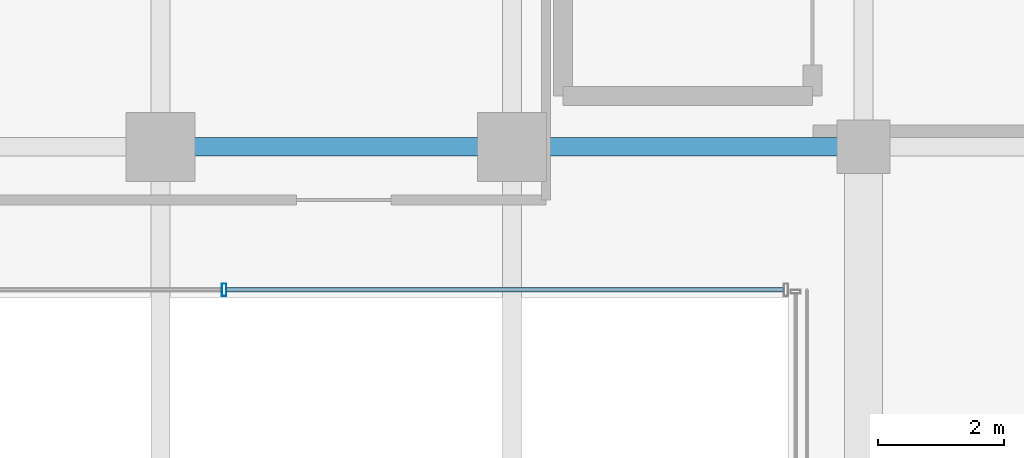
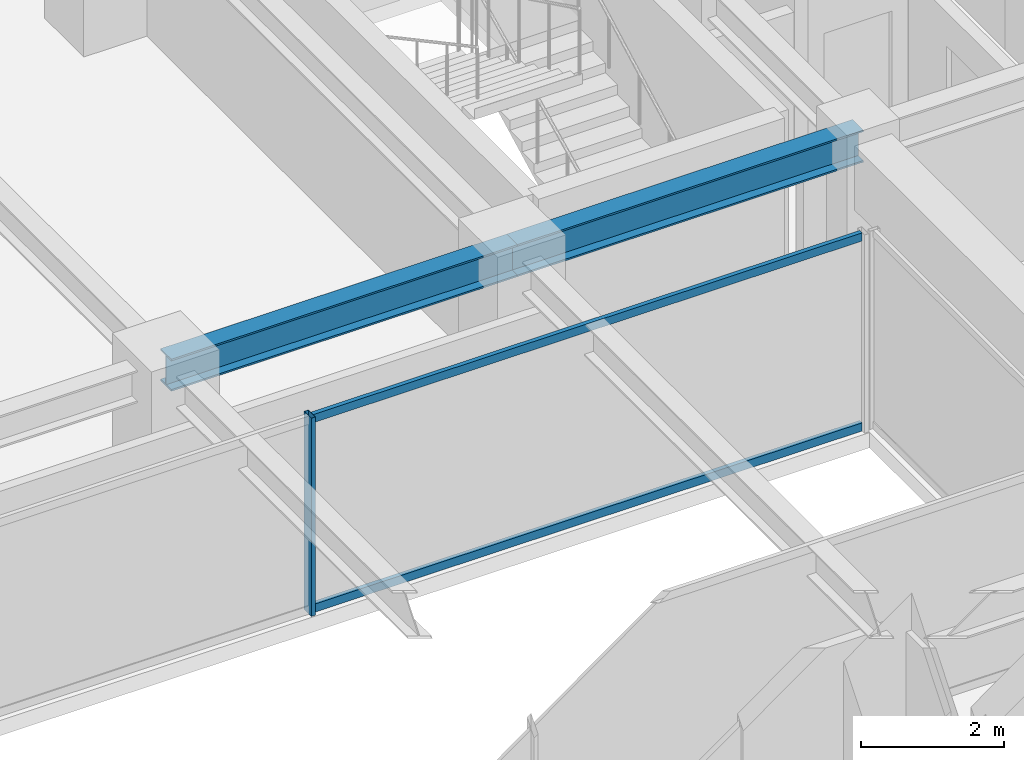
# One storey, part 11 of 35: 3 members, 2 beams, 1 element without a shape of its own.
"""IFC4 building model written with IfcOpenShell, lengths in metres."""

import ifcopenshell
import ifcopenshell.guid

model = None  # the IFC model being written
_history = None  # IfcOwnerHistory: only IFC2X3 demands one
_inside = {}  # id of a spatial element -> (the spatial element, [elements in it])
_under = {}  # id of a project, library or spatial element -> (it, [spatial elements below it])
_declared = {}  # id of a project -> (the project, [libraries it declares])
_typed = {}  # id of a type object -> (the type object, [elements of that type])
_made_of = {}  # id of a material, layer set ... -> (it, [elements and type objects made of it])


def new_model(schema):
    """Start an empty IFC model of exactly this schema.

    Asked for "IFC4X3", IfcOpenShell would pick the latest addendum, in which some entities
    have other attributes; the version numbers below select the first issue.
    IFC2X3 requires an IfcOwnerHistory on every rooted entity: one is made here for all.
    """
    global model, _history
    if schema == "IFC4X3":
        model = ifcopenshell.file(schema_version=(4, 3, 0, 0))
    else:
        model = ifcopenshell.file(schema=schema)
    _inside.clear()
    _under.clear()
    _declared.clear()
    _typed.clear()
    _made_of.clear()
    _history = None
    if model.schema == "IFC2X3":
        org = make("IfcOrganization", Name="unknown")
        user = make(
            "IfcPersonAndOrganization",
            ThePerson=make("IfcPerson", FamilyName="unknown"),
            TheOrganization=org,
        )
        app = make(
            "IfcApplication",
            ApplicationDeveloper=org,
            Version="unknown",
            ApplicationFullName="unknown",
            ApplicationIdentifier="unknown",
        )
        _history = make(
            "IfcOwnerHistory",
            OwningUser=user,
            OwningApplication=app,
            ChangeAction="ADDED",
            CreationDate=0,
        )
    return model


def make(cls, **values):
    """One entity of the class cls with the attributes given. An attribute that is None is left unset."""
    return model.create_entity(
        cls, **{name: value for name, value in values.items() if value is not None}
    )


def rooted(cls, **values):
    """An entity with a GlobalId (a new one), such as an element, a storey or a relation."""
    return make(cls, GlobalId=ifcopenshell.guid.new(), OwnerHistory=_history, **values)


def si_unit(unit_type, name, prefix=None):
    """IfcSIUnit, for example si_unit("LENGTHUNIT", "METRE", prefix="MILLI")."""
    return make("IfcSIUnit", UnitType=unit_type, Prefix=prefix, Name=name)


def assignment(units):
    """IfcUnitAssignment: the units of a project."""
    return None if units is None else make("IfcUnitAssignment", Units=units)


def point(xyz):
    """IfcCartesianPoint."""
    return None if xyz is None else make("IfcCartesianPoint", Coordinates=xyz)


def direction(xyz):
    """IfcDirection."""
    return None if xyz is None else make("IfcDirection", DirectionRatios=xyz)


def frame(location, z_axis=None, x_axis=None):
    """IfcAxis2Placement3D, a coordinate frame: its origin and axes. An axis left out is left unset."""
    return make(
        "IfcAxis2Placement3D",
        Location=point(location),
        Axis=direction(z_axis),
        RefDirection=direction(x_axis),
    )


def frame_2d(location, x_axis=None):
    """IfcAxis2Placement2D, a coordinate frame in the plane: its origin and x axis."""
    return make(
        "IfcAxis2Placement2D", Location=point(location), RefDirection=direction(x_axis)
    )


def origin():
    """The frame at (0, 0, 0) with its axes left unset."""
    return frame((0.0, 0.0, 0.0))


def origin_2d():
    """The frame at (0, 0) in the plane with its x axis left unset."""
    return frame_2d((0.0, 0.0))


def place(relative_to, where):
    """IfcLocalPlacement: puts the frame where relative to a parent placement (None: the world)."""
    return make(
        "IfcLocalPlacement", PlacementRelTo=relative_to, RelativePlacement=where
    )


def context(
    kind, dimensions, precision=None, world=None, true_north=None, identifier=None
):
    """IfcGeometricRepresentationContext, for example the 3D "Model" context."""
    return make(
        "IfcGeometricRepresentationContext",
        ContextIdentifier=identifier,
        ContextType=kind,
        CoordinateSpaceDimension=dimensions,
        Precision=precision,
        WorldCoordinateSystem=world,
        TrueNorth=true_north,
    )


def subcontext(parent, identifier, kind, view, scale=None):
    """IfcGeometricRepresentationSubContext, for example "Body" below "Model"."""
    return make(
        "IfcGeometricRepresentationSubContext",
        ContextIdentifier=identifier,
        ContextType=kind,
        ParentContext=parent,
        TargetScale=scale,
        TargetView=view,
    )


def project(units=None, contexts=None):
    """IfcProject with its units and contexts."""
    return rooted(
        "IfcProject",
        Name="project",
        RepresentationContexts=contexts,
        UnitsInContext=assignment(units),
    )


def spatial(cls, under=None, at=None, **own):
    """A site, building, storey or space (cls), placed at a placement, below another one or the project."""
    s = rooted(cls, ObjectPlacement=at, **own)
    if under is not None:
        _under.setdefault(under.id(), (under, []))[1].append(s)
    return s


def profile(cls, at=None, kind="AREA", **sizes):
    """A parametric profile (cls). Its sizes go by their IFC names, for example OverallWidth=200.0."""
    return make(cls, ProfileType=kind, Position=at, **sizes)


def hollow_rectangle(**sizes):
    """IfcRectangleHollowProfileDef."""
    return profile("IfcRectangleHollowProfileDef", **sizes)


def i_section(**sizes):
    """IfcIShapeProfileDef."""
    return profile("IfcIShapeProfileDef", **sizes)


def extrude(swept, where, along, depth):
    """IfcExtrudedAreaSolid: the profile swept, set in the frame where, extruded along a direction by depth."""
    return make(
        "IfcExtrudedAreaSolid",
        SweptArea=swept,
        Position=where,
        ExtrudedDirection=direction(along),
        Depth=depth,
    )


def shape(context_of_items, identifier, shape_type, items):
    """IfcShapeRepresentation: the items that make up one representation, for example the "Body"."""
    return make(
        "IfcShapeRepresentation",
        ContextOfItems=context_of_items,
        RepresentationIdentifier=identifier,
        RepresentationType=shape_type,
        Items=items,
    )


def source(mapping_origin, context_of_items, identifier, shape_type, items):
    """IfcRepresentationMap: a shape defined once, which mapped items show again and again."""
    return make(
        "IfcRepresentationMap",
        MappingOrigin=mapping_origin,
        MappedRepresentation=shape(context_of_items, identifier, shape_type, items),
    )


def transform(
    local_origin,
    x_axis=None,
    y_axis=None,
    z_axis=None,
    scale=None,
    scale2=None,
    scale3=None,
    uniform=True,
):
    """IfcCartesianTransformationOperator3D, or its non-uniform kind. x_axis, y_axis, z_axis: its Axis1, 2, 3."""
    if uniform:
        return make(
            "IfcCartesianTransformationOperator3D",
            Axis1=direction(x_axis),
            Axis2=direction(y_axis),
            LocalOrigin=point(local_origin),
            Scale=scale,
            Axis3=direction(z_axis),
        )
    return make(
        "IfcCartesianTransformationOperator3DnonUniform",
        Axis1=direction(x_axis),
        Axis2=direction(y_axis),
        LocalOrigin=point(local_origin),
        Scale=scale,
        Axis3=direction(z_axis),
        Scale2=scale2,
        Scale3=scale3,
    )


def mapped(mapping_source, mapping_target):
    """IfcMappedItem: shows the shape of a source again, moved by a transform."""
    return make(
        "IfcMappedItem", MappingSource=mapping_source, MappingTarget=mapping_target
    )


def material(Name=None, Category=None):
    """IfcMaterial."""
    return make("IfcMaterial", Name=Name, Category=Category)


def material_profile(
    of_material, cross_section, Name=None, Category=None, Priority=None
):
    """IfcMaterialProfile: a cross section and its material."""
    return make(
        "IfcMaterialProfile",
        Name=Name,
        Material=of_material,
        Profile=cross_section,
        Priority=Priority,
        Category=Category,
    )


def profile_set(profiles, Name=None, composite=None):
    """IfcMaterialProfileSet."""
    return make(
        "IfcMaterialProfileSet",
        Name=Name,
        MaterialProfiles=profiles,
        CompositeProfile=composite,
    )


def made_of(thing, what):
    """Note that an element or type object is made of a material, layer set ...; save() writes the relation."""
    if what is not None:
        _made_of.setdefault(what.id(), (what, []))[1].append(thing)
    return thing


def type_object(cls, material=None, **own):
    """A type object (cls), such as IfcWallType, which elements share."""
    return made_of(rooted(cls, **own), material)


def element(
    cls,
    number,
    at=None,
    inside=None,
    cuts=None,
    type_object=None,
    material=None,
    context=None,
    identifier="Body",
    shape_type=None,
    held_by="IfcProductDefinitionShape",
    body=None,
    shapes=None,
    **own,
):
    """One element of the class cls, such as IfcWall. Its Tag is "e" and its number.

    at: its placement. inside: the storey or other place that contains it. cuts: it is an
    opening in that element (IfcRelVoidsElement). A single representation is given by context,
    identifier, shape_type and body (its items); several are given by shapes. held_by: the class
    of the entity that holds the representations. save() writes the other relations.
    """
    e = rooted(cls, Tag="e%d" % number, ObjectPlacement=at, **own)
    if body is not None:
        shapes = [shape(context, identifier, shape_type, body)]
    if shapes is not None:
        e.Representation = make(held_by, Representations=shapes)
    if inside is not None:
        _inside.setdefault(inside.id(), (inside, []))[1].append(e)
    if cuts is not None:
        rooted(
            "IfcRelVoidsElement", RelatingBuildingElement=cuts, RelatedOpeningElement=e
        )
    if type_object is not None:
        _typed.setdefault(type_object.id(), (type_object, []))[1].append(e)
    return made_of(e, material)


def aggregate(whole, parts):
    """IfcRelAggregates: a whole, such as a stair, and the parts it consists of."""
    return rooted("IfcRelAggregates", RelatingObject=whole, RelatedObjects=parts)


def save(model, path):
    """Write the relations noted so far, then the file.

    IfcRelAggregates (storeys below a building ...), IfcRelContainedInSpatialStructure (elements
    in a storey), IfcRelDefinesByType, IfcRelAssociatesMaterial and IfcRelDeclares: one each for
    every whole, place, type object, material and project.
    """
    for whole, parts in _under.values():
        aggregate(whole, parts)
    for where, things in _inside.values():
        rooted(
            "IfcRelContainedInSpatialStructure",
            RelatedElements=things,
            RelatingStructure=where,
        )
    for kind, things in _typed.values():
        rooted("IfcRelDefinesByType", RelatedObjects=things, RelatingType=kind)
    for what, things in _made_of.values():
        rooted("IfcRelAssociatesMaterial", RelatedObjects=things, RelatingMaterial=what)
    for by, libraries in _declared.values():
        rooted("IfcRelDeclares", RelatingContext=by, RelatedDefinitions=libraries)
    model.write(path)


model = new_model("IFC4")

# Units and contexts
model_context = context("Model", 3, precision=1e-05, world=origin(), true_north=direction((0.0, 1.0)))
body_context = subcontext(model_context, "Body", "Model", "MODEL_VIEW")
ifc_project = project(units=[si_unit("LENGTHUNIT", "METRE"), si_unit("AREAUNIT", "SQUARE_METRE"), si_unit("VOLUMEUNIT", "CUBIC_METRE"), si_unit("PLANEANGLEUNIT", "RADIAN"), si_unit("MASSUNIT", "GRAM", prefix="KILO")], contexts=[model_context])

# Site, building, storey
site_placement = place(None, origin())
site = spatial("IfcSite", under=ifc_project, at=site_placement, CompositionType="ELEMENT")
building_placement = place(site_placement, origin())
building = spatial("IfcBuilding", under=site, at=building_placement, Name="Nahalor Promenade Grand Hotel", CompositionType="ELEMENT")
storey_placement = place(building_placement, frame((0.0, 0.0, 185.5)))
storey = spatial("IfcBuildingStorey", under=building, at=storey_placement, Name="L47", CompositionType="ELEMENT", Elevation=185.5)

# Beams
ifc_material_1 = material(Name="Steel S355JR", Category="steel")
ifc_material_profile_1 = material_profile(ifc_material_1, i_section(OverallWidth=0.3, OverallDepth=0.55, WebThickness=0.015, FlangeThickness=0.029, at=origin_2d()), Name="HEB 550")
ifc_profile_set_1 = profile_set([ifc_material_profile_1], Name="Steel S355JR")
beam_type = type_object("IfcBeamType", Name="Beam-Girder-HEB550", PredefinedType="BEAM", material=ifc_profile_set_1)
shared_shape_1 = source(origin(), body_context, "Body", "SweptSolid", [
    extrude(i_section(OverallWidth=0.3, OverallDepth=0.55, WebThickness=0.015, FlangeThickness=0.029, at=origin_2d()), origin(), (0.0, 0.0, 1.0), 5.599853515625),
])
beam_1_placement = place(storey_placement, frame((2.800048828125, 5.39990234375, 3.114990234375), z_axis=(1.0, 0.0, 0.0), x_axis=(0.0, 1.0, 0.0)))
element("IfcBeam", 1, at=beam_1_placement, inside=storey, type_object=beam_type, Name="BM-L47-GX-2-4", PredefinedType="BEAM", context=body_context, shape_type="MappedRepresentation", body=[
    mapped(shared_shape_1, transform((0.0, 0.0, 0.0), scale=1.0)),
])
shared_shape_2 = source(origin(), body_context, "Body", "SweptSolid", [
    extrude(i_section(OverallWidth=0.3, OverallDepth=0.55, WebThickness=0.015, FlangeThickness=0.029, at=origin_2d()), origin(), (0.0, 0.0, 1.0), 5.60009765625),
])
beam_2_placement = place(storey_placement, frame((-2.800048828125, 5.39990234375, 3.114990234375), z_axis=(1.0, 0.0, 0.0), x_axis=(0.0, 1.0, 0.0)))
element("IfcBeam", 2, at=beam_2_placement, inside=storey, type_object=beam_type, Name="BM-L47-GX-2-3", PredefinedType="BEAM", context=body_context, shape_type="MappedRepresentation", body=[
    mapped(shared_shape_2, transform((0.0, 0.0, 0.0), scale=1.0)),
])

# Curtain wall, members
ifc_material_2 = material(Name="Anodised Bronze Aluminium EN AW-6063 T6", Category="aluminium")
curtain_wall_type = type_object("IfcCurtainWallType", Name="CW3 Elliptical-Void Collar Unitised Curtain Wall", PredefinedType="USERDEFINED", material=ifc_material_2)
curtain_wall_placement = place(storey_placement, origin())
curtain_wall = element("IfcCurtainWall", 3, at=curtain_wall_placement, inside=storey, type_object=curtain_wall_type, Name="L47 Curtain Wall CW-L47-VOID-WN1", ObjectType="UNITISED_CURTAIN_WALL", PredefinedType="USERDEFINED")
ifc_material_profile_2 = material_profile(ifc_material_2, hollow_rectangle(XDim=0.07, YDim=0.14, WallThickness=0.004, at=origin_2d()), Name="CWT 70x140x4")
ifc_profile_set_2 = profile_set([ifc_material_profile_2], Name="Anodised Bronze Aluminium EN AW-6063 T6")
member_type_1 = type_object("IfcMemberType", Name="CWT3 Void Collar Transom 70x140", PredefinedType="USERDEFINED", material=ifc_profile_set_2)
shared_shape_3 = source(origin(), body_context, "Body", "SweptSolid", [
    extrude(hollow_rectangle(XDim=0.07, YDim=0.14, WallThickness=0.004, at=origin_2d()), origin(), (0.0, 0.0, 1.0), 8.881591796875),
])
member_1_placement = place(storey_placement, frame((-1.751708984375, 3.118896484375, 0.070068359375), z_axis=(1.0, 0.0, 0.0), x_axis=(0.0, 1.0, 0.0)))
member_1 = element("IfcMember", 4, at=member_1_placement, type_object=member_type_1, Name="CW-L47-VOID-WN1 Transom 2-0", ObjectType="TRANSOM", PredefinedType="USERDEFINED", context=body_context, shape_type="MappedRepresentation", body=[
    mapped(shared_shape_3, transform((0.0, 0.0, 0.0), scale=1.0)),
])
member_2_placement = place(storey_placement, frame((-1.751708984375, 3.118896484375, 3.320068359375), z_axis=(1.0, 0.0, 0.0), x_axis=(0.0, 1.0, 0.0)))
member_2 = element("IfcMember", 5, at=member_2_placement, type_object=member_type_1, Name="CW-L47-VOID-WN1 Transom 2-1", ObjectType="TRANSOM", PredefinedType="USERDEFINED", context=body_context, shape_type="MappedRepresentation", body=[
    mapped(shared_shape_3, transform((0.0, 0.0, 0.0), scale=1.0)),
])
ifc_material_profile_3 = material_profile(ifc_material_2, hollow_rectangle(XDim=0.07, YDim=0.2, WallThickness=0.005, at=origin_2d()), Name="CWM 70x200x5")
ifc_profile_set_3 = profile_set([ifc_material_profile_3], Name="Anodised Bronze Aluminium EN AW-6063 T6")
member_type_2 = type_object("IfcMemberType", Name="CWM3 Void Collar Mullion 70x200", PredefinedType="MULLION", material=ifc_profile_set_3)
shared_shape_4 = source(origin(), body_context, "Body", "SweptSolid", [
    extrude(hollow_rectangle(XDim=0.07, YDim=0.2, WallThickness=0.005, at=origin_2d()), origin(), (0.0, 0.0, 1.0), 3.389892578125),
])
member_3_placement = place(storey_placement, frame((-1.78662109375, 3.118896484375, 0.0), z_axis=(0.0, 0.0, 1.0), x_axis=(1.0, 0.0, 0.0)))
member_3 = element("IfcMember", 6, at=member_3_placement, type_object=member_type_2, Name="CW-L47-VOID-WN1 Mullion 2", PredefinedType="MULLION", context=body_context, shape_type="MappedRepresentation", body=[
    mapped(shared_shape_4, transform((0.0, 0.0, 0.0), scale=1.0)),
])
aggregate(curtain_wall, [member_3, member_1, member_2])

save(model, "model.ifc")
